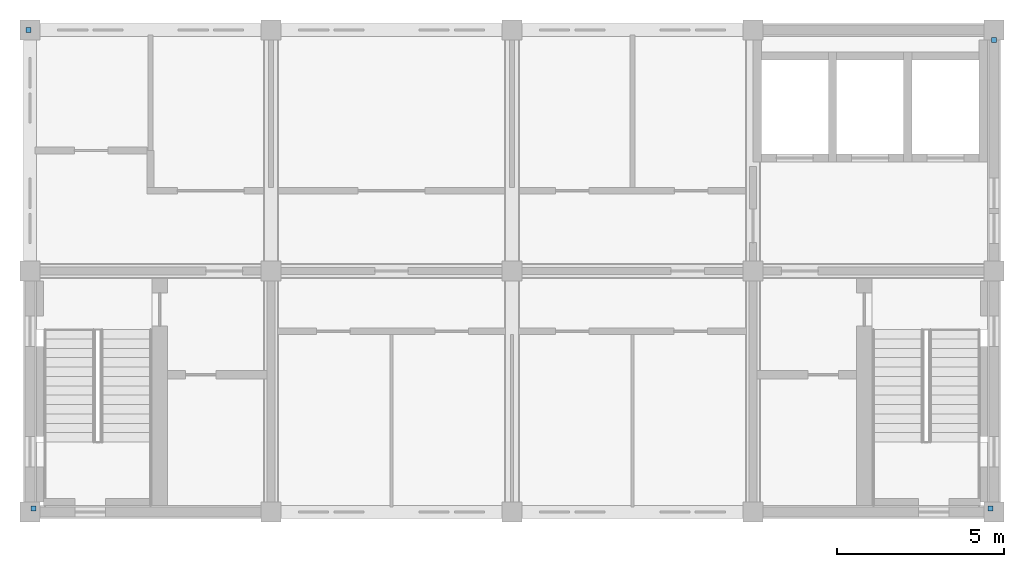
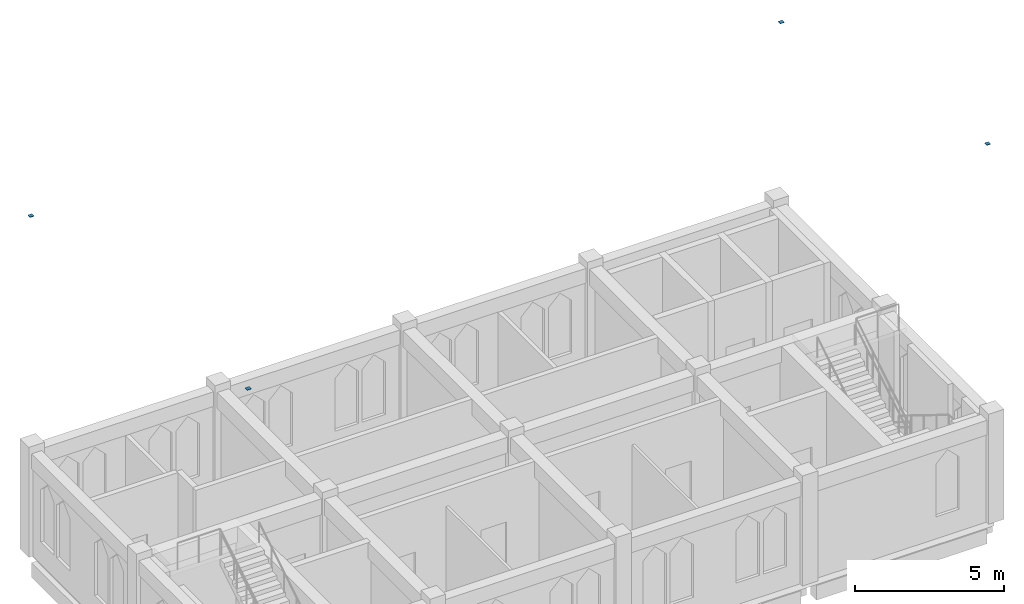
# One storey, part 5 of 6: 4 discrete accessories.
"""IFC4 building model written with IfcOpenShell, lengths in metres."""

from ifc_helpers import new_model, si_unit, direction, frame, origin, origin_2d, place, context, subcontext, project, spatial, rectangle, extrude, material, element, save


model = new_model("IFC4")

# Units and contexts
model_context = context("Model", 3, precision=1e-05, world=origin(), true_north=direction((0.0, 1.0)))
body_context = subcontext(model_context, "Body", "Model", "MODEL_VIEW")
ifc_project = project(units=[si_unit("LENGTHUNIT", "METRE"), si_unit("AREAUNIT", "SQUARE_METRE"), si_unit("VOLUMEUNIT", "CUBIC_METRE"), si_unit("PLANEANGLEUNIT", "RADIAN"), si_unit("MASSUNIT", "GRAM", prefix="KILO")], contexts=[model_context])

# Site, building, storey
site_placement = place(None, origin())
site = spatial("IfcSite", under=ifc_project, at=site_placement, CompositionType="ELEMENT")
building_placement = place(site_placement, origin())
building = spatial("IfcBuilding", under=site, at=building_placement, Name="Silangan Lancet Faculty of Sciences", CompositionType="ELEMENT")
storey_placement = place(building_placement, frame((0.0, 0.0, 76.800048828125)))
storey = spatial("IfcBuildingStorey", under=building, at=storey_placement, Name="L16", CompositionType="ELEMENT", Elevation=76.800048828125)

# Discrete accessories
ifc_material = material(Name="Steel STKR400", Category="steel")
for number, where, z_axis, x_axis, name in (
    (1, (0.10009765625, 0.10009765625, 15.25), (0.0, 0.0, 1.0), (1.0, 0.0, 0.0), "Tower corner pinnacle ST SW cap"),
    (2, (28.699951171875, 0.10009765625, 15.25), (0.0, 0.0, 1.0), (1.0, 0.0, 0.0), "Tower corner pinnacle ST SE cap"),
    (3, (-0.050048828125, 14.39990234375, 13.699951171875), (0.0, 0.0, 1.0), (1.0, 0.0, 0.0), "Tower corner pinnacle ST NW cap"),
    (4, (28.800048828125, 14.10009765625, 11.699951171875), (0.0, 0.0, 1.0), (1.0, 0.0, 0.0), "Tower corner pinnacle ST NE cap"),
):
    element("IfcDiscreteAccessory", number, at=place(storey_placement, frame(where, z_axis=z_axis, x_axis=x_axis)), inside=storey, material=ifc_material, Name=name, ObjectType="END CAP", PredefinedType="USERDEFINED", context=body_context, shape_type="SweptSolid", body=[
        extrude(rectangle(XDim=0.14990234375, YDim=0.14990234375, at=origin_2d()), origin(), (0.0, 0.0, 1.0), 0.02001953125),
    ])

save(model, "model.ifc")
